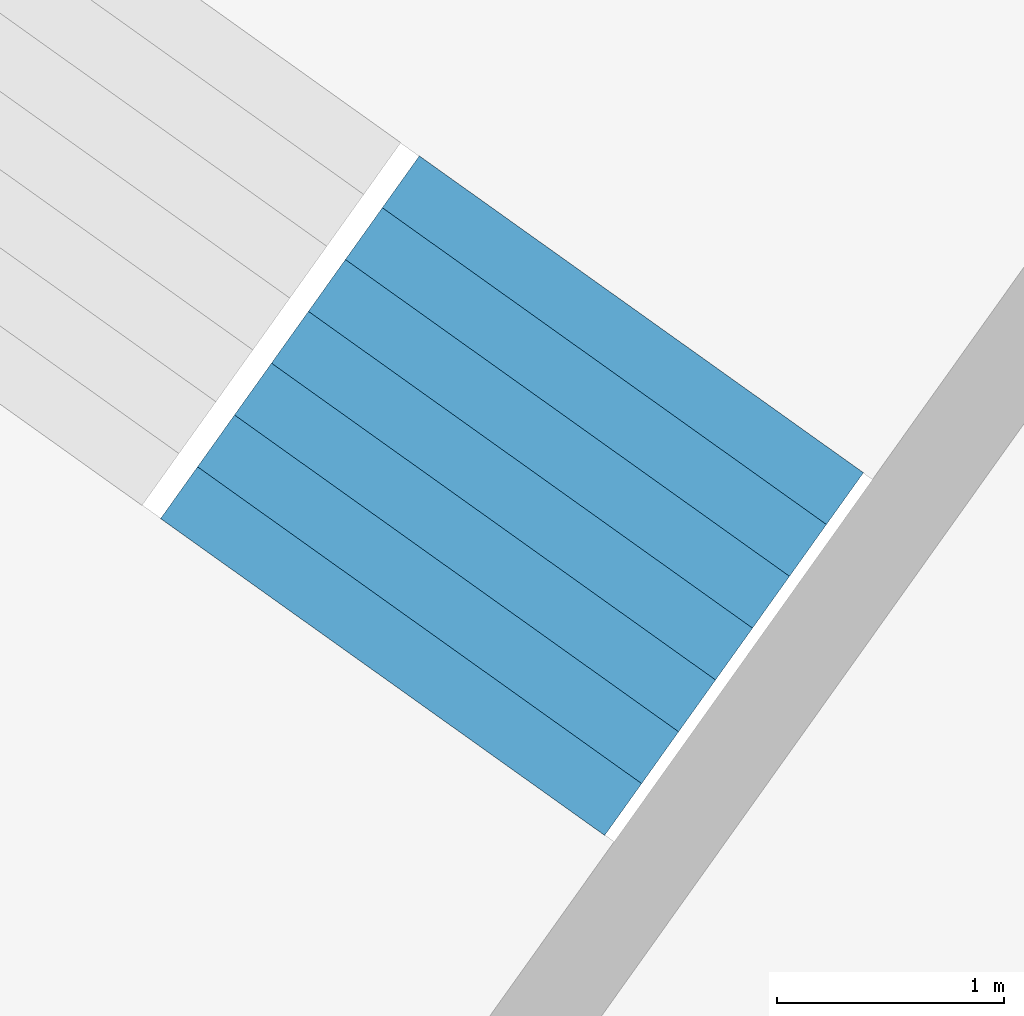
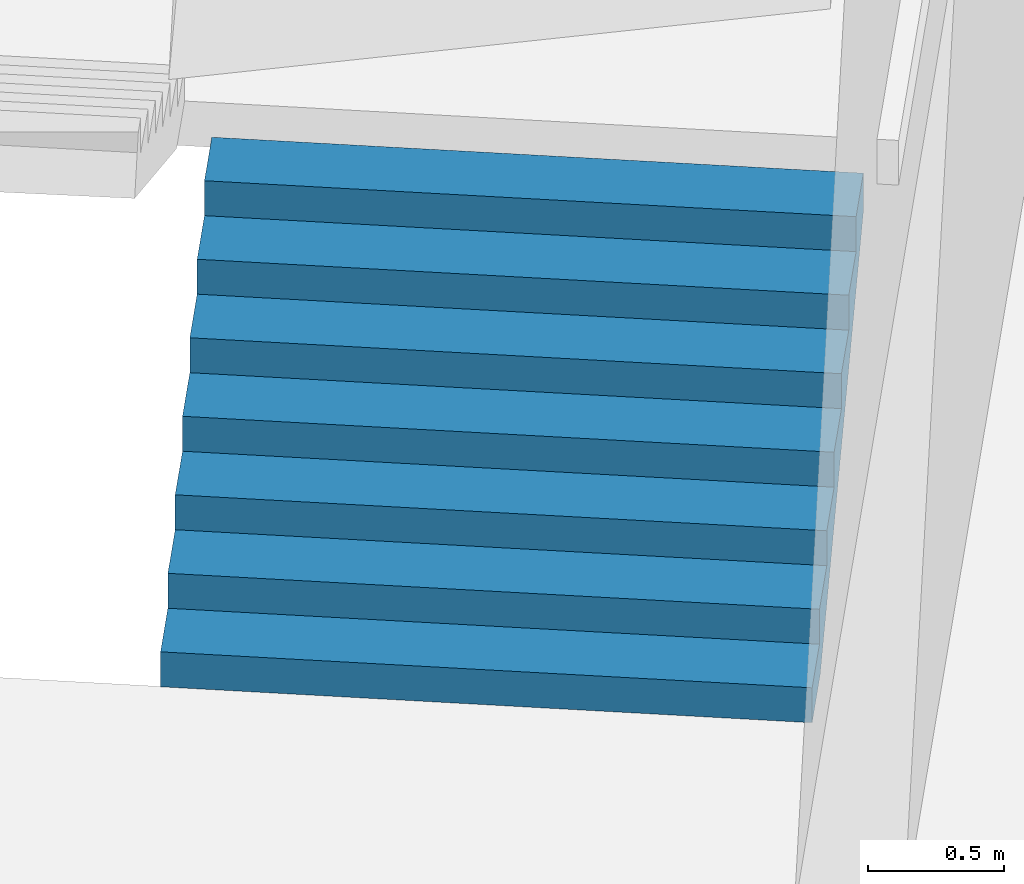
# One storey, part 71 of 73: 1 stair flight, 1 element without a shape of its own.
"""IFC4 building model written with IfcOpenShell, lengths in metres."""

from ifc_helpers import new_model, si_unit, direction, frame, origin, place, context, subcontext, project, spatial, triangles, material, type_object, element, aggregate, save


model = new_model("IFC4")

# Units and contexts
model_context = context("Model", 3, precision=1e-05, world=origin(), true_north=direction((0.0, 1.0)))
body_context = subcontext(model_context, "Body", "Model", "MODEL_VIEW")
ifc_project = project(units=[si_unit("LENGTHUNIT", "METRE"), si_unit("AREAUNIT", "SQUARE_METRE"), si_unit("VOLUMEUNIT", "CUBIC_METRE"), si_unit("PLANEANGLEUNIT", "RADIAN"), si_unit("MASSUNIT", "GRAM", prefix="KILO")], contexts=[model_context])

# Site, building, storey
site_placement = place(None, origin())
site = spatial("IfcSite", under=ifc_project, at=site_placement, CompositionType="ELEMENT")
building_placement = place(site_placement, origin())
building = spatial("IfcBuilding", under=site, at=building_placement, Name="Lantaw Convention Tower", CompositionType="ELEMENT")
storey_placement = place(building_placement, frame((0.0, 0.0, 27.0)))
storey = spatial("IfcBuildingStorey", under=building, at=storey_placement, Name="L04", CompositionType="ELEMENT", Elevation=27.0)

# Stair, stair flight
ifc_material = material(Name="Concrete C35/45", Category="concrete")
stair_type = type_object("IfcStairType", Name="Exit stair 2400 riser 156.25 in 4 flights", PredefinedType="HALF_TURN_STAIR", material=ifc_material)
stair_placement = place(storey_placement, origin())
stair = element("IfcStair", 1, at=stair_placement, inside=storey, type_object=stair_type, Name="Podium exit stair P4 L04", PredefinedType="HALF_TURN_STAIR")
stair_flight_type = type_object("IfcStairFlightType", Name="Stair flight 2400 riser 156.25", PredefinedType="STRAIGHT", material=ifc_material)
stair_flight_placement = place(storey_placement, frame((19.005615234375, 24.4921875, 0.0), z_axis=(0.0, 0.0, 1.0), x_axis=(0.580702955711, 0.814115518356, 0.0)))
stair_flight = element("IfcStairFlight", 2, at=stair_flight_placement, type_object=stair_flight_type, Name="P4 flight 1", NumberOfRisers=8, NumberOfTreads=7, PredefinedType="STRAIGHT", RiserHeight=0.15625, TreadLength=0.28, context=body_context, shape_type="Tessellation", body=[
    triangles([(0.0, 1.199951171875, 0.0), (0.0, 1.199951171875, 0.15625), (0.28, 1.199951171875, 0.0), (0.28, 1.199951171875, 0.15625), (0.28, 1.199951171875, 0.3125), (0.3076200632058044, 1.199951171875, 0.0), (0.3076200632058044, 1.199951171875, 0.3125), (0.56, 1.199951171875, 0.14083701830033238), (0.56, 1.199951171875, 0.3125), (0.56, 1.199951171875, 0.46875), (0.8400000000000001, 1.199951171875, 0.29708701830033235), (0.8400000000000001, 1.199951171875, 0.46875), (0.8400000000000001, 1.199951171875, 0.625), (1.12, 1.199951171875, 0.45333701830033235), (1.12, 1.199951171875, 0.625), (1.12, 1.199951171875, 0.78125), (1.4000000000000001, 1.199951171875, 0.6095870183003324), (1.4000000000000001, 1.199951171875, 0.78125), (1.4000000000000001, 1.199951171875, 0.9375), (1.6800000000000002, 1.199951171875, 0.7658370183003324), (1.6800000000000002, 1.199951171875, 0.9375), (1.6800000000000002, 1.199951171875, 1.09375), (1.9600000000000002, 1.199951171875, 0.9220870183003324), (1.9600000000000002, 1.199951171875, 1.09375), (0.0, -1.199951171875, 0.0), (0.0, -1.199951171875, 0.15625), (0.28, -1.199951171875, 0.0), (0.28, -1.199951171875, 0.15625), (0.28, -1.199951171875, 0.3125), (0.3076200632058044, -1.199951171875, 0.0), (0.3076200632058044, -1.199951171875, 0.3125), (0.56, -1.199951171875, 0.14083701830033238), (0.56, -1.199951171875, 0.3125), (0.56, -1.199951171875, 0.46875), (0.8400000000000001, -1.199951171875, 0.29708701830033235), (0.8400000000000001, -1.199951171875, 0.46875), (0.8400000000000001, -1.199951171875, 0.625), (1.12, -1.199951171875, 0.45333701830033235), (1.12, -1.199951171875, 0.625), (1.12, -1.199951171875, 0.78125), (1.4000000000000001, -1.199951171875, 0.6095870183003324), (1.4000000000000001, -1.199951171875, 0.78125), (1.4000000000000001, -1.199951171875, 0.9375), (1.6800000000000002, -1.199951171875, 0.7658370183003324), (1.6800000000000002, -1.199951171875, 0.9375), (1.6800000000000002, -1.199951171875, 1.09375), (1.9600000000000002, -1.199951171875, 0.9220870183003324), (1.9600000000000002, -1.199951171875, 1.09375), (0.0, 0.239990234375, 0.15625), (0.0, 0.239990234375, 0.0), (0.0, 0.1919921875, 0.15625), (0.0, 0.1919921875, 0.0), (0.0, 0.143994140625, 0.15625), (0.0, 0.143994140625, 0.0), (0.0, 0.09599609375, 0.15625), (0.0, 0.09599609375, 0.0), (0.0, 0.047998046875, 0.15625), (0.0, 0.047998046875, 0.0), (0.0, 0.0, 0.15625), (0.0, 0.0, 0.0), (0.0, -0.047998046875, 0.15625), (0.0, -0.047998046875, 0.0), (0.0, -0.09599609375, 0.15625), (0.0, -0.09599609375, 0.0), (0.0, -0.143994140625, 0.15625), (0.0, -0.143994140625, 0.0), (0.0, -0.1919921875, 0.15625), (0.0, -0.1919921875, 0.0), (0.0, -0.239990234375, 0.15625), (0.0, -0.239990234375, 0.0), (0.28, 0.239990234375, 0.3125), (0.28, 0.239990234375, 0.15625), (0.28, 0.1919921875, 0.3125), (0.28, 0.1919921875, 0.15625), (0.28, 0.143994140625, 0.3125), (0.28, 0.143994140625, 0.15625), (0.28, 0.09599609375, 0.3125), (0.28, 0.09599609375, 0.15625), (0.28, 0.047998046875, 0.3125), (0.28, 0.047998046875, 0.15625), (0.28, 0.0, 0.3125), (0.28, 0.0, 0.15625), (0.28, -0.047998046875, 0.3125), (0.28, -0.047998046875, 0.15625), (0.28, -0.09599609375, 0.3125), (0.28, -0.09599609375, 0.15625), (0.28, -0.143994140625, 0.3125), (0.28, -0.143994140625, 0.15625), (0.28, -0.1919921875, 0.3125), (0.28, -0.1919921875, 0.15625), (0.28, -0.239990234375, 0.3125), (0.28, -0.239990234375, 0.15625), (0.56, 0.239990234375, 0.46875), (0.56, 0.239990234375, 0.3125), (0.56, 0.1919921875, 0.46875), (0.56, 0.1919921875, 0.3125), (0.56, 0.143994140625, 0.46875), (0.56, 0.143994140625, 0.3125), (0.56, 0.09599609375, 0.46875), (0.56, 0.09599609375, 0.3125), (0.56, 0.047998046875, 0.46875), (0.56, 0.047998046875, 0.3125), (0.56, 0.0, 0.46875), (0.56, 0.0, 0.3125), (0.56, -0.047998046875, 0.46875), (0.56, -0.047998046875, 0.3125), (0.56, -0.09599609375, 0.46875), (0.56, -0.09599609375, 0.3125), (0.56, -0.143994140625, 0.46875), (0.56, -0.143994140625, 0.3125), (0.56, -0.1919921875, 0.46875), (0.56, -0.1919921875, 0.3125), (0.56, -0.239990234375, 0.46875), (0.56, -0.239990234375, 0.3125), (0.8400000000000001, 0.239990234375, 0.625), (0.8400000000000001, 0.239990234375, 0.46875), (0.8400000000000001, 0.1919921875, 0.625), (0.8400000000000001, 0.1919921875, 0.46875), (0.8400000000000001, 0.143994140625, 0.625), (0.8400000000000001, 0.143994140625, 0.46875), (0.8400000000000001, 0.09599609375, 0.625), (0.8400000000000001, 0.09599609375, 0.46875), (0.8400000000000001, 0.047998046875, 0.625), (0.8400000000000001, 0.047998046875, 0.46875), (0.8400000000000001, 0.0, 0.625), (0.8400000000000001, 0.0, 0.46875), (0.8400000000000001, -0.047998046875, 0.625), (0.8400000000000001, -0.047998046875, 0.46875), (0.8400000000000001, -0.09599609375, 0.625), (0.8400000000000001, -0.09599609375, 0.46875), (0.8400000000000001, -0.143994140625, 0.625), (0.8400000000000001, -0.143994140625, 0.46875), (0.8400000000000001, -0.1919921875, 0.625), (0.8400000000000001, -0.1919921875, 0.46875), (0.8400000000000001, -0.239990234375, 0.625), (0.8400000000000001, -0.239990234375, 0.46875), (1.12, 0.239990234375, 0.78125), (1.12, 0.239990234375, 0.625), (1.12, 0.1919921875, 0.78125), (1.12, 0.1919921875, 0.625), (1.12, 0.143994140625, 0.78125), (1.12, 0.143994140625, 0.625), (1.12, 0.09599609375, 0.78125), (1.12, 0.09599609375, 0.625), (1.12, 0.047998046875, 0.78125), (1.12, 0.047998046875, 0.625), (1.12, 0.0, 0.78125), (1.12, 0.0, 0.625), (1.12, -0.047998046875, 0.78125), (1.12, -0.047998046875, 0.625), (1.12, -0.09599609375, 0.78125), (1.12, -0.09599609375, 0.625), (1.12, -0.143994140625, 0.78125), (1.12, -0.143994140625, 0.625), (1.12, -0.1919921875, 0.78125), (1.12, -0.1919921875, 0.625), (1.12, -0.239990234375, 0.78125), (1.12, -0.239990234375, 0.625), (1.4000000000000001, 0.239990234375, 0.9375), (1.4000000000000001, 0.239990234375, 0.78125), (1.4000000000000001, 0.1919921875, 0.9375), (1.4000000000000001, 0.1919921875, 0.78125), (1.4000000000000001, 0.143994140625, 0.9375), (1.4000000000000001, 0.143994140625, 0.78125), (1.4000000000000001, 0.09599609375, 0.9375), (1.4000000000000001, 0.09599609375, 0.78125), (1.4000000000000001, 0.047998046875, 0.9375), (1.4000000000000001, 0.047998046875, 0.78125), (1.4000000000000001, 0.0, 0.9375), (1.4000000000000001, 0.0, 0.78125), (1.4000000000000001, -0.047998046875, 0.9375), (1.4000000000000001, -0.047998046875, 0.78125), (1.4000000000000001, -0.09599609375, 0.9375), (1.4000000000000001, -0.09599609375, 0.78125), (1.4000000000000001, -0.143994140625, 0.9375), (1.4000000000000001, -0.143994140625, 0.78125), (1.4000000000000001, -0.1919921875, 0.9375), (1.4000000000000001, -0.1919921875, 0.78125), (1.4000000000000001, -0.239990234375, 0.9375), (1.4000000000000001, -0.239990234375, 0.78125), (1.6800000000000002, 0.239990234375, 1.09375), (1.6800000000000002, 0.239990234375, 0.9375), (1.6800000000000002, 0.1919921875, 1.09375), (1.6800000000000002, 0.1919921875, 0.9375), (1.6800000000000002, 0.143994140625, 1.09375), (1.6800000000000002, 0.143994140625, 0.9375), (1.6800000000000002, 0.09599609375, 1.09375), (1.6800000000000002, 0.09599609375, 0.9375), (1.6800000000000002, 0.047998046875, 1.09375), (1.6800000000000002, 0.047998046875, 0.9375), (1.6800000000000002, 0.0, 1.09375), (1.6800000000000002, 0.0, 0.9375), (1.6800000000000002, -0.047998046875, 1.09375), (1.6800000000000002, -0.047998046875, 0.9375), (1.6800000000000002, -0.09599609375, 1.09375), (1.6800000000000002, -0.09599609375, 0.9375), (1.6800000000000002, -0.143994140625, 1.09375), (1.6800000000000002, -0.143994140625, 0.9375), (1.6800000000000002, -0.1919921875, 1.09375), (1.6800000000000002, -0.1919921875, 0.9375), (1.6800000000000002, -0.239990234375, 1.09375), (1.6800000000000002, -0.239990234375, 0.9375), (0.3076200632058044, 0.239990234375, 0.3125), (0.3076200632058044, 0.1919921875, 0.3125), (0.3076200632058044, 0.143994140625, 0.3125), (0.3076200632058044, 0.09599609375, 0.3125), (0.3076200632058044, 0.047998046875, 0.3125), (0.3076200632058044, 0.0, 0.3125), (0.3076200632058044, -0.047998046875, 0.3125), (0.3076200632058044, -0.09599609375, 0.3125), (0.3076200632058044, -0.143994140625, 0.3125), (0.3076200632058044, -0.1919921875, 0.3125), (0.3076200632058044, -0.239990234375, 0.3125), (1.9600000000000002, 0.239990234375, 1.09375), (1.9600000000000002, 0.1919921875, 1.09375), (1.9600000000000002, 0.143994140625, 1.09375), (1.9600000000000002, 0.09599609375, 1.09375), (1.9600000000000002, 0.047998046875, 1.09375), (1.9600000000000002, 0.0, 1.09375), (1.9600000000000002, -0.047998046875, 1.09375), (1.9600000000000002, -0.09599609375, 1.09375), (1.9600000000000002, -0.143994140625, 1.09375), (1.9600000000000002, -0.1919921875, 1.09375), (1.9600000000000002, -0.239990234375, 1.09375), (1.9600000000000002, 0.239990234375, 0.9220870183003324), (1.9600000000000002, 0.1919921875, 0.9220870183003324), (1.9600000000000002, 0.143994140625, 0.9220870183003324), (1.9600000000000002, 0.09599609375, 0.9220870183003324), (1.9600000000000002, 0.047998046875, 0.9220870183003324), (1.9600000000000002, 0.0, 0.9220870183003324), (1.9600000000000002, -0.047998046875, 0.9220870183003324), (1.9600000000000002, -0.09599609375, 0.9220870183003324), (1.9600000000000002, -0.143994140625, 0.9220870183003324), (1.9600000000000002, -0.1919921875, 0.9220870183003324), (1.9600000000000002, -0.239990234375, 0.9220870183003324), (1.6800000000000002, 0.239990234375, 0.7658370183003324), (1.6800000000000002, 0.1919921875, 0.7658370183003324), (1.6800000000000002, 0.143994140625, 0.7658370183003324), (1.6800000000000002, 0.09599609375, 0.7658370183003324), (1.6800000000000002, 0.047998046875, 0.7658370183003324), (1.6800000000000002, 0.0, 0.7658370183003324), (1.6800000000000002, -0.047998046875, 0.7658370183003324), (1.6800000000000002, -0.09599609375, 0.7658370183003324), (1.6800000000000002, -0.143994140625, 0.7658370183003324), (1.6800000000000002, -0.1919921875, 0.7658370183003324), (1.6800000000000002, -0.239990234375, 0.7658370183003324), (1.4000000000000001, 0.239990234375, 0.6095870183003324), (1.4000000000000001, 0.1919921875, 0.6095870183003324), (1.4000000000000001, 0.143994140625, 0.6095870183003324), (1.4000000000000001, 0.09599609375, 0.6095870183003324), (1.4000000000000001, 0.047998046875, 0.6095870183003324), (1.4000000000000001, 0.0, 0.6095870183003324), (1.4000000000000001, -0.047998046875, 0.6095870183003324), (1.4000000000000001, -0.09599609375, 0.6095870183003324), (1.4000000000000001, -0.143994140625, 0.6095870183003324), (1.4000000000000001, -0.1919921875, 0.6095870183003324), (1.4000000000000001, -0.239990234375, 0.6095870183003324), (1.12, 0.239990234375, 0.45333701830033235), (1.12, 0.1919921875, 0.45333701830033235), (1.12, 0.143994140625, 0.45333701830033235), (1.12, 0.09599609375, 0.45333701830033235), (1.12, 0.047998046875, 0.45333701830033235), (1.12, 0.0, 0.45333701830033235), (1.12, -0.047998046875, 0.45333701830033235), (1.12, -0.09599609375, 0.45333701830033235), (1.12, -0.143994140625, 0.45333701830033235), (1.12, -0.1919921875, 0.45333701830033235), (1.12, -0.239990234375, 0.45333701830033235), (0.8400000000000001, 0.239990234375, 0.29708701830033235), (0.8400000000000001, 0.1919921875, 0.29708701830033235), (0.8400000000000001, 0.143994140625, 0.29708701830033235), (0.8400000000000001, 0.09599609375, 0.29708701830033235), (0.8400000000000001, 0.047998046875, 0.29708701830033235), (0.8400000000000001, 0.0, 0.29708701830033235), (0.8400000000000001, -0.047998046875, 0.29708701830033235), (0.8400000000000001, -0.09599609375, 0.29708701830033235), (0.8400000000000001, -0.143994140625, 0.29708701830033235), (0.8400000000000001, -0.1919921875, 0.29708701830033235), (0.8400000000000001, -0.239990234375, 0.29708701830033235), (0.56, 0.239990234375, 0.14083701830033238), (0.56, 0.1919921875, 0.14083701830033238), (0.56, 0.143994140625, 0.14083701830033238), (0.56, 0.09599609375, 0.14083701830033238), (0.56, 0.047998046875, 0.14083701830033238), (0.56, 0.0, 0.14083701830033238), (0.56, -0.047998046875, 0.14083701830033238), (0.56, -0.09599609375, 0.14083701830033238), (0.56, -0.143994140625, 0.14083701830033238), (0.56, -0.1919921875, 0.14083701830033238), (0.56, -0.239990234375, 0.14083701830033238), (0.3076200632058044, 0.239990234375, 0.0), (0.3076200632058044, 0.1919921875, 0.0), (0.3076200632058044, 0.143994140625, 0.0), (0.3076200632058044, 0.09599609375, 0.0), (0.3076200632058044, 0.047998046875, 0.0), (0.3076200632058044, 0.0, 0.0), (0.3076200632058044, -0.047998046875, 0.0), (0.3076200632058044, -0.09599609375, 0.0), (0.3076200632058044, -0.143994140625, 0.0), (0.3076200632058044, -0.1919921875, 0.0), (0.3076200632058044, -0.239990234375, 0.0), (0.28, 0.239990234375, 0.0), (0.28, 0.1919921875, 0.0), (0.28, 0.143994140625, 0.0), (0.28, 0.09599609375, 0.0), (0.28, 0.047998046875, 0.0), (0.28, 0.0, 0.0), (0.28, -0.047998046875, 0.0), (0.28, -0.09599609375, 0.0), (0.28, -0.143994140625, 0.0), (0.28, -0.1919921875, 0.0), (0.28, -0.239990234375, 0.0)], [[1, 4, 3], [1, 2, 4], [3, 4, 6], [4, 7, 6], [4, 5, 7], [6, 9, 8], [6, 7, 9], [8, 9, 11], [9, 12, 11], [9, 10, 12], [11, 12, 14], [12, 15, 14], [12, 13, 15], [14, 15, 17], [15, 18, 17], [15, 16, 18], [17, 18, 20], [18, 21, 20], [18, 19, 21], [20, 21, 23], [21, 24, 23], [21, 22, 24], [25, 27, 28], [25, 28, 26], [27, 30, 28], [28, 30, 31], [28, 31, 29], [30, 32, 33], [30, 33, 31], [32, 35, 33], [33, 35, 36], [33, 36, 34], [35, 38, 36], [36, 38, 39], [36, 39, 37], [38, 41, 39], [39, 41, 42], [39, 42, 40], [41, 44, 42], [42, 44, 45], [42, 45, 43], [44, 47, 45], [45, 47, 48], [45, 48, 46], [1, 49, 2], [1, 50, 49], [50, 51, 49], [50, 52, 51], [52, 53, 51], [52, 54, 53], [54, 55, 53], [54, 56, 55], [56, 57, 55], [56, 58, 57], [58, 59, 57], [58, 60, 59], [60, 61, 59], [60, 62, 61], [62, 63, 61], [62, 64, 63], [64, 65, 63], [64, 66, 65], [66, 67, 65], [66, 68, 67], [68, 69, 67], [68, 70, 69], [70, 26, 69], [70, 25, 26], [4, 71, 5], [4, 72, 71], [72, 73, 71], [72, 74, 73], [74, 75, 73], [74, 76, 75], [76, 77, 75], [76, 78, 77], [78, 79, 77], [78, 80, 79], [80, 81, 79], [80, 82, 81], [82, 83, 81], [82, 84, 83], [84, 85, 83], [84, 86, 85], [86, 87, 85], [86, 88, 87], [88, 89, 87], [88, 90, 89], [90, 91, 89], [90, 92, 91], [92, 29, 91], [92, 28, 29], [9, 93, 10], [9, 94, 93], [94, 95, 93], [94, 96, 95], [96, 97, 95], [96, 98, 97], [98, 99, 97], [98, 100, 99], [100, 101, 99], [100, 102, 101], [102, 103, 101], [102, 104, 103], [104, 105, 103], [104, 106, 105], [106, 107, 105], [106, 108, 107], [108, 109, 107], [108, 110, 109], [110, 111, 109], [110, 112, 111], [112, 113, 111], [112, 114, 113], [114, 34, 113], [114, 33, 34], [12, 115, 13], [12, 116, 115], [116, 117, 115], [116, 118, 117], [118, 119, 117], [118, 120, 119], [120, 121, 119], [120, 122, 121], [122, 123, 121], [122, 124, 123], [124, 125, 123], [124, 126, 125], [126, 127, 125], [126, 128, 127], [128, 129, 127], [128, 130, 129], [130, 131, 129], [130, 132, 131], [132, 133, 131], [132, 134, 133], [134, 135, 133], [134, 136, 135], [136, 37, 135], [136, 36, 37], [15, 137, 16], [15, 138, 137], [138, 139, 137], [138, 140, 139], [140, 141, 139], [140, 142, 141], [142, 143, 141], [142, 144, 143], [144, 145, 143], [144, 146, 145], [146, 147, 145], [146, 148, 147], [148, 149, 147], [148, 150, 149], [150, 151, 149], [150, 152, 151], [152, 153, 151], [152, 154, 153], [154, 155, 153], [154, 156, 155], [156, 157, 155], [156, 158, 157], [158, 40, 157], [158, 39, 40], [18, 159, 19], [18, 160, 159], [160, 161, 159], [160, 162, 161], [162, 163, 161], [162, 164, 163], [164, 165, 163], [164, 166, 165], [166, 167, 165], [166, 168, 167], [168, 169, 167], [168, 170, 169], [170, 171, 169], [170, 172, 171], [172, 173, 171], [172, 174, 173], [174, 175, 173], [174, 176, 175], [176, 177, 175], [176, 178, 177], [178, 179, 177], [178, 180, 179], [180, 43, 179], [180, 42, 43], [21, 181, 22], [21, 182, 181], [182, 183, 181], [182, 184, 183], [184, 185, 183], [184, 186, 185], [186, 187, 185], [186, 188, 187], [188, 189, 187], [188, 190, 189], [190, 191, 189], [190, 192, 191], [192, 193, 191], [192, 194, 193], [194, 195, 193], [194, 196, 195], [196, 197, 195], [196, 198, 197], [198, 199, 197], [198, 200, 199], [200, 201, 199], [200, 202, 201], [202, 46, 201], [202, 45, 46], [2, 72, 4], [2, 49, 72], [49, 74, 72], [49, 51, 74], [51, 76, 74], [51, 53, 76], [53, 78, 76], [53, 55, 78], [55, 80, 78], [55, 57, 80], [57, 82, 80], [57, 59, 82], [59, 84, 82], [59, 61, 84], [61, 86, 84], [61, 63, 86], [63, 88, 86], [63, 65, 88], [65, 90, 88], [65, 67, 90], [67, 92, 90], [67, 69, 92], [69, 28, 92], [69, 26, 28], [5, 203, 7], [5, 71, 203], [71, 204, 203], [71, 73, 204], [73, 205, 204], [73, 75, 205], [75, 206, 205], [75, 77, 206], [77, 207, 206], [77, 79, 207], [79, 208, 207], [79, 81, 208], [81, 209, 208], [81, 83, 209], [83, 210, 209], [83, 85, 210], [85, 211, 210], [85, 87, 211], [87, 212, 211], [87, 89, 212], [89, 213, 212], [89, 91, 213], [91, 31, 213], [91, 29, 31], [7, 94, 9], [7, 203, 94], [203, 96, 94], [203, 204, 96], [204, 98, 96], [204, 205, 98], [205, 100, 98], [205, 206, 100], [206, 102, 100], [206, 207, 102], [207, 104, 102], [207, 208, 104], [208, 106, 104], [208, 209, 106], [209, 108, 106], [209, 210, 108], [210, 110, 108], [210, 211, 110], [211, 112, 110], [211, 212, 112], [212, 114, 112], [212, 213, 114], [213, 33, 114], [213, 31, 33], [10, 116, 12], [10, 93, 116], [93, 118, 116], [93, 95, 118], [95, 120, 118], [95, 97, 120], [97, 122, 120], [97, 99, 122], [99, 124, 122], [99, 101, 124], [101, 126, 124], [101, 103, 126], [103, 128, 126], [103, 105, 128], [105, 130, 128], [105, 107, 130], [107, 132, 130], [107, 109, 132], [109, 134, 132], [109, 111, 134], [111, 136, 134], [111, 113, 136], [113, 36, 136], [113, 34, 36], [13, 138, 15], [13, 115, 138], [115, 140, 138], [115, 117, 140], [117, 142, 140], [117, 119, 142], [119, 144, 142], [119, 121, 144], [121, 146, 144], [121, 123, 146], [123, 148, 146], [123, 125, 148], [125, 150, 148], [125, 127, 150], [127, 152, 150], [127, 129, 152], [129, 154, 152], [129, 131, 154], [131, 156, 154], [131, 133, 156], [133, 158, 156], [133, 135, 158], [135, 39, 158], [135, 37, 39], [16, 160, 18], [16, 137, 160], [137, 162, 160], [137, 139, 162], [139, 164, 162], [139, 141, 164], [141, 166, 164], [141, 143, 166], [143, 168, 166], [143, 145, 168], [145, 170, 168], [145, 147, 170], [147, 172, 170], [147, 149, 172], [149, 174, 172], [149, 151, 174], [151, 176, 174], [151, 153, 176], [153, 178, 176], [153, 155, 178], [155, 180, 178], [155, 157, 180], [157, 42, 180], [157, 40, 42], [19, 182, 21], [19, 159, 182], [159, 184, 182], [159, 161, 184], [161, 186, 184], [161, 163, 186], [163, 188, 186], [163, 165, 188], [165, 190, 188], [165, 167, 190], [167, 192, 190], [167, 169, 192], [169, 194, 192], [169, 171, 194], [171, 196, 194], [171, 173, 196], [173, 198, 196], [173, 175, 198], [175, 200, 198], [175, 177, 200], [177, 202, 200], [177, 179, 202], [179, 45, 202], [179, 43, 45], [22, 214, 24], [22, 181, 214], [181, 215, 214], [181, 183, 215], [183, 216, 215], [183, 185, 216], [185, 217, 216], [185, 187, 217], [187, 218, 217], [187, 189, 218], [189, 219, 218], [189, 191, 219], [191, 220, 219], [191, 193, 220], [193, 221, 220], [193, 195, 221], [195, 222, 221], [195, 197, 222], [197, 223, 222], [197, 199, 223], [199, 224, 223], [199, 201, 224], [201, 48, 224], [201, 46, 48], [24, 225, 23], [24, 214, 225], [214, 226, 225], [214, 215, 226], [215, 227, 226], [215, 216, 227], [216, 228, 227], [216, 217, 228], [217, 229, 228], [217, 218, 229], [218, 230, 229], [218, 219, 230], [219, 231, 230], [219, 220, 231], [220, 232, 231], [220, 221, 232], [221, 233, 232], [221, 222, 233], [222, 234, 233], [222, 223, 234], [223, 235, 234], [223, 224, 235], [224, 47, 235], [224, 48, 47], [23, 236, 20], [23, 225, 236], [225, 237, 236], [225, 226, 237], [226, 238, 237], [226, 227, 238], [227, 239, 238], [227, 228, 239], [228, 240, 239], [228, 229, 240], [229, 241, 240], [229, 230, 241], [230, 242, 241], [230, 231, 242], [231, 243, 242], [231, 232, 243], [232, 244, 243], [232, 233, 244], [233, 245, 244], [233, 234, 245], [234, 246, 245], [234, 235, 246], [235, 44, 246], [235, 47, 44], [20, 247, 17], [20, 236, 247], [236, 248, 247], [236, 237, 248], [237, 249, 248], [237, 238, 249], [238, 250, 249], [238, 239, 250], [239, 251, 250], [239, 240, 251], [240, 252, 251], [240, 241, 252], [241, 253, 252], [241, 242, 253], [242, 254, 253], [242, 243, 254], [243, 255, 254], [243, 244, 255], [244, 256, 255], [244, 245, 256], [245, 257, 256], [245, 246, 257], [246, 41, 257], [246, 44, 41], [17, 258, 14], [17, 247, 258], [247, 259, 258], [247, 248, 259], [248, 260, 259], [248, 249, 260], [249, 261, 260], [249, 250, 261], [250, 262, 261], [250, 251, 262], [251, 263, 262], [251, 252, 263], [252, 264, 263], [252, 253, 264], [253, 265, 264], [253, 254, 265], [254, 266, 265], [254, 255, 266], [255, 267, 266], [255, 256, 267], [256, 268, 267], [256, 257, 268], [257, 38, 268], [257, 41, 38], [14, 269, 11], [14, 258, 269], [258, 270, 269], [258, 259, 270], [259, 271, 270], [259, 260, 271], [260, 272, 271], [260, 261, 272], [261, 273, 272], [261, 262, 273], [262, 274, 273], [262, 263, 274], [263, 275, 274], [263, 264, 275], [264, 276, 275], [264, 265, 276], [265, 277, 276], [265, 266, 277], [266, 278, 277], [266, 267, 278], [267, 279, 278], [267, 268, 279], [268, 35, 279], [268, 38, 35], [11, 280, 8], [11, 269, 280], [269, 281, 280], [269, 270, 281], [270, 282, 281], [270, 271, 282], [271, 283, 282], [271, 272, 283], [272, 284, 283], [272, 273, 284], [273, 285, 284], [273, 274, 285], [274, 286, 285], [274, 275, 286], [275, 287, 286], [275, 276, 287], [276, 288, 287], [276, 277, 288], [277, 289, 288], [277, 278, 289], [278, 290, 289], [278, 279, 290], [279, 32, 290], [279, 35, 32], [8, 291, 6], [8, 280, 291], [280, 292, 291], [280, 281, 292], [281, 293, 292], [281, 282, 293], [282, 294, 293], [282, 283, 294], [283, 295, 294], [283, 284, 295], [284, 296, 295], [284, 285, 296], [285, 297, 296], [285, 286, 297], [286, 298, 297], [286, 287, 298], [287, 299, 298], [287, 288, 299], [288, 300, 299], [288, 289, 300], [289, 301, 300], [289, 290, 301], [290, 30, 301], [290, 32, 30], [6, 302, 3], [6, 291, 302], [291, 303, 302], [291, 292, 303], [292, 304, 303], [292, 293, 304], [293, 305, 304], [293, 294, 305], [294, 306, 305], [294, 295, 306], [295, 307, 306], [295, 296, 307], [296, 308, 307], [296, 297, 308], [297, 309, 308], [297, 298, 309], [298, 310, 309], [298, 299, 310], [299, 311, 310], [299, 300, 311], [300, 312, 311], [300, 301, 312], [301, 27, 312], [301, 30, 27], [3, 50, 1], [3, 302, 50], [302, 52, 50], [302, 303, 52], [303, 54, 52], [303, 304, 54], [304, 56, 54], [304, 305, 56], [305, 58, 56], [305, 306, 58], [306, 60, 58], [306, 307, 60], [307, 62, 60], [307, 308, 62], [308, 64, 62], [308, 309, 64], [309, 66, 64], [309, 310, 66], [310, 68, 66], [310, 311, 68], [311, 70, 68], [311, 312, 70], [312, 25, 70], [312, 27, 25]], closed=True),
])
aggregate(stair, [stair_flight])

save(model, "model.ifc")
